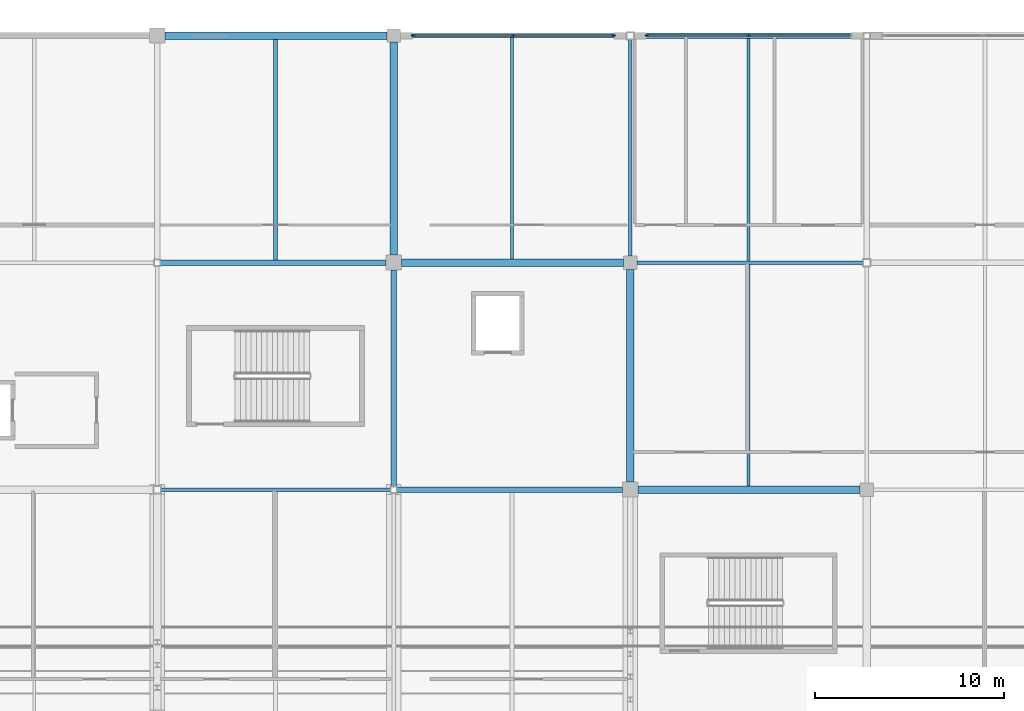
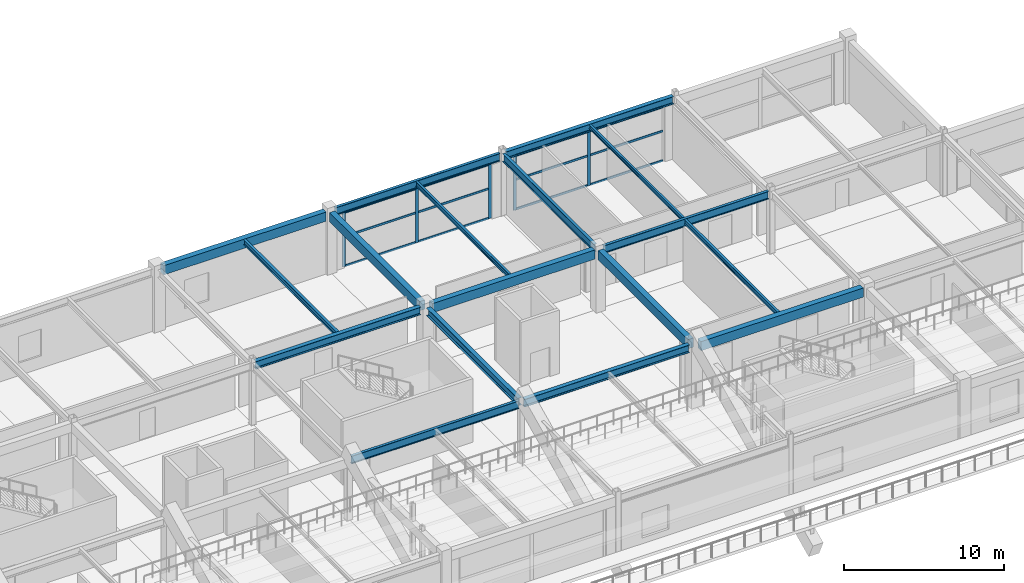
# One storey, part 66 of 128: 17 beams, 17 members, 2 elements without a shape of their own.
"""IFC4 building model written with IfcOpenShell, lengths in metres."""

from ifc_helpers import new_model, si_unit, direction, frame, origin, origin_2d, place, context, subcontext, project, spatial, rectangle, i_section, extrude, material, layer, layer_set, material_profile, profile_set, type_object, element, aggregate, save


model = new_model("IFC4")

# Units and contexts
model_context = context("Model", 3, precision=1e-05, world=origin(), true_north=direction((0.0, 1.0)))
body_context = subcontext(model_context, "Body", "Model", "MODEL_VIEW")
ifc_project = project(units=[si_unit("LENGTHUNIT", "METRE"), si_unit("AREAUNIT", "SQUARE_METRE"), si_unit("VOLUMEUNIT", "CUBIC_METRE"), si_unit("PLANEANGLEUNIT", "RADIAN"), si_unit("MASSUNIT", "GRAM", prefix="KILO")], contexts=[model_context])

# Site, building, storey
site_placement = place(None, origin())
site = spatial("IfcSite", under=ifc_project, at=site_placement, CompositionType="ELEMENT")
building_placement = place(site_placement, origin())
building = spatial("IfcBuilding", under=site, at=building_placement, Name="Kazenohara Klinker Stadium", CompositionType="ELEMENT")
storey_placement = place(building_placement, frame((0.0, 0.0, 15.300048828125)))
storey = spatial("IfcBuildingStorey", under=building, at=storey_placement, Name="L03", CompositionType="ELEMENT", Elevation=15.300048828125)

# Beams
ifc_material_1 = material(Name="Steel S355", Category="steel")
ifc_material_profile_1 = material_profile(ifc_material_1, i_section(OverallWidth=0.199951171875, OverallDepth=0.39990234375, WebThickness=0.008056640625, FlangeThickness=0.012939453125, FilletRadius=0.012939453125, at=origin_2d()), Name="H-400x200x8x13")
ifc_profile_set_1 = profile_set([ifc_material_profile_1], Name="Steel S355")
beam_type_1 = type_object("IfcBeamType", Name="BM-JST03", PredefinedType="JOIST", material=ifc_profile_set_1)
beam_1_placement = place(storey_placement, frame((131.25, 156.14990234375, 4.56005859375), z_axis=(0.0, 1.0, 0.0), x_axis=(-1.0, 0.0, 0.0)))
element("IfcBeam", 1, at=beam_1_placement, inside=storey, type_object=beam_type_1, Name="Secondary floor joist SJ03 L03 11/P", PredefinedType="JOIST", context=body_context, shape_type="SweptSolid", body=[
    extrude(i_section(OverallWidth=0.199951171875, OverallDepth=0.39990234375, WebThickness=0.008056640625, FlangeThickness=0.012939453125, FilletRadius=0.012939453125, at=origin_2d()), origin(), (0.0, 0.0, 1.0), 11.650146484375),
])
ifc_material_profile_2 = material_profile(ifc_material_1, i_section(OverallWidth=0.175048828125, OverallDepth=0.35009765625, WebThickness=0.007080078125, FlangeThickness=0.010986328125, FilletRadius=0.012939453125, at=origin_2d()), Name="H-350x175x7x11")
ifc_profile_set_2 = profile_set([ifc_material_profile_2], Name="Steel S355")
beam_type_2 = type_object("IfcBeamType", Name="BM-JST04", PredefinedType="JOIST", material=ifc_profile_set_2)
for number, where, z_axis, x_axis, name in (
    (2, (143.75, 156.199951171875, 4.5849609375), (0.0, 1.0, 0.0), (-1.0, 0.0, 0.0), "Secondary floor joist SJ04 L03 12/P"),
    (3, (156.25, 144.199951171875, 4.5849609375), (0.0, 1.0, 0.0), (-1.0, 0.0, 0.0), "Secondary floor joist SJ04 L03 13/N"),
):
    element("IfcBeam", number, at=place(storey_placement, frame(where, z_axis=z_axis, x_axis=x_axis)), inside=storey, type_object=beam_type_2, Name=name, PredefinedType="JOIST", context=body_context, shape_type="SweptSolid", body=[
        extrude(i_section(OverallWidth=0.175048828125, OverallDepth=0.35009765625, WebThickness=0.007080078125, FlangeThickness=0.010986328125, FilletRadius=0.012939453125, at=origin_2d()), origin(), (0.0, 0.0, 1.0), 11.699951171875),
    ])
ifc_material_profile_3 = material_profile(ifc_material_1, i_section(OverallWidth=0.14990234375, OverallDepth=0.300048828125, WebThickness=0.006591796875, FlangeThickness=0.009033203125, FilletRadius=0.012939453125, at=origin_2d()), Name="H-300x150x6.5x9")
ifc_profile_set_3 = profile_set([ifc_material_profile_3], Name="Steel S355")
beam_type_3 = type_object("IfcBeamType", Name="BM-JST05", PredefinedType="JOIST", material=ifc_profile_set_3)
beam_2_placement = place(storey_placement, frame((156.25, 156.10009765625, 4.60986328125), z_axis=(0.0, 1.0, 0.0), x_axis=(-1.0, 0.0, 0.0)))
element("IfcBeam", 4, at=beam_2_placement, inside=storey, type_object=beam_type_3, Name="Secondary floor joist SJ05 L03 13/P", PredefinedType="JOIST", context=body_context, shape_type="SweptSolid", body=[
    extrude(i_section(OverallWidth=0.14990234375, OverallDepth=0.300048828125, WebThickness=0.006591796875, FlangeThickness=0.009033203125, FilletRadius=0.012939453125, at=origin_2d()), origin(), (0.0, 0.0, 1.0), 11.75),
])
ifc_material_2 = material(Name="Concrete C40/50", Category="concrete")
ifc_material_profile_4 = material_profile(ifc_material_2, rectangle(XDim=0.39990234375, YDim=0.699951171875, at=origin_2d()), Name="RC-BM-400x700")
ifc_profile_set_4 = profile_set([ifc_material_profile_4], Name="Concrete C40/50")
beam_type_4 = type_object("IfcBeamType", Name="BM-RC04", PredefinedType="BEAM", material=ifc_profile_set_4)
for number, where, z_axis, x_axis, name in (
    (5, (125.39990234375, 168.0, 4.409912109375), (1.0, 0.0, 0.0), (0.0, 1.0, 0.0), "Primary girder BG04 L03 11-12/Q"),
    (6, (137.89990234375, 156.0, 4.409912109375), (1.0, 0.0, 0.0), (0.0, 1.0, 0.0), "Primary girder BG04 L03 12-13/P"),
    (7, (150.39990234375, 144.0, 4.409912109375), (1.0, 0.0, 0.0), (0.0, 1.0, 0.0), "Primary girder BG04 L03 13-14/N"),
):
    element("IfcBeam", number, at=place(storey_placement, frame(where, z_axis=z_axis, x_axis=x_axis)), inside=storey, type_object=beam_type_4, Name=name, PredefinedType="BEAM", context=body_context, shape_type="SweptSolid", body=[
        extrude(rectangle(XDim=0.39990234375, YDim=0.699951171875, at=origin_2d()), origin(), (0.0, 0.0, 1.0), 11.75),
    ])
for number, where, z_axis, x_axis, name in (
    (8, (137.5, 156.39990234375, 4.409912109375), (0.0, 1.0, 0.0), (-1.0, 0.0, 0.0), "Primary girder BG04 L03 12/P-Q"),
    (9, (150.0, 144.39990234375, 4.409912109375), (0.0, 1.0, 0.0), (-1.0, 0.0, 0.0), "Primary girder BG04 L03 13/N-P"),
):
    element("IfcBeam", number, at=place(storey_placement, frame(where, z_axis=z_axis, x_axis=x_axis)), inside=storey, type_object=beam_type_4, Name=name, PredefinedType="BEAM", context=body_context, shape_type="SweptSolid", body=[
        extrude(rectangle(XDim=0.39990234375, YDim=0.699951171875, at=origin_2d()), origin(), (0.0, 0.0, 1.0), 11.25),
    ])
ifc_material_profile_5 = material_profile(ifc_material_1, i_section(OverallWidth=0.199951171875, OverallDepth=0.60009765625, WebThickness=0.010986328125, FlangeThickness=0.01708984375, FilletRadius=0.012939453125, at=origin_2d()), Name="H-600x200x11x17")
ifc_profile_set_5 = profile_set([ifc_material_profile_5], Name="Steel S355")
beam_type_5 = type_object("IfcBeamType", Name="BM-ST04", PredefinedType="BEAM", material=ifc_profile_set_5)
beam_3_placement = place(storey_placement, frame((125.199951171875, 144.0, 4.4599609375), z_axis=(1.0, 0.0, 0.0), x_axis=(0.0, 1.0, 0.0)))
element("IfcBeam", 10, at=beam_3_placement, inside=storey, type_object=beam_type_5, Name="Primary girder SB04 L03 11-12/N", PredefinedType="BEAM", context=body_context, shape_type="SweptSolid", body=[
    extrude(i_section(OverallWidth=0.199951171875, OverallDepth=0.60009765625, WebThickness=0.010986328125, FlangeThickness=0.01708984375, FilletRadius=0.012939453125, at=origin_2d()), origin(), (0.0, 0.0, 1.0), 12.125),
])
for number, where, z_axis, x_axis, name in (
    (11, (137.85009765625, 168.0, 4.4599609375), (1.0, 0.0, 0.0), (0.0, 1.0, 0.0), "Primary girder SB04 L03 12-13/Q"),
    (12, (150.35009765625, 156.0, 4.4599609375), (1.0, 0.0, 0.0), (0.0, 1.0, 0.0), "Primary girder SB04 L03 13-14/P"),
):
    element("IfcBeam", number, at=place(storey_placement, frame(where, z_axis=z_axis, x_axis=x_axis)), inside=storey, type_object=beam_type_5, Name=name, PredefinedType="BEAM", context=body_context, shape_type="SweptSolid", body=[
        extrude(i_section(OverallWidth=0.199951171875, OverallDepth=0.60009765625, WebThickness=0.010986328125, FlangeThickness=0.01708984375, FilletRadius=0.012939453125, at=origin_2d()), origin(), (0.0, 0.0, 1.0), 11.949951171875),
    ])
beam_4_placement = place(storey_placement, frame((150.0, 156.35009765625, 4.4599609375), z_axis=(0.0, 1.0, 0.0), x_axis=(-1.0, 0.0, 0.0)))
element("IfcBeam", 13, at=beam_4_placement, inside=storey, type_object=beam_type_5, Name="Primary girder SB04 L03 13/P-Q", PredefinedType="BEAM", context=body_context, shape_type="SweptSolid", body=[
    extrude(i_section(OverallWidth=0.199951171875, OverallDepth=0.60009765625, WebThickness=0.010986328125, FlangeThickness=0.01708984375, FilletRadius=0.012939453125, at=origin_2d()), origin(), (0.0, 0.0, 1.0), 11.449951171875),
])
ifc_material_profile_6 = material_profile(ifc_material_1, i_section(OverallWidth=0.300048828125, OverallDepth=0.587890625, WebThickness=0.011962890625, FlangeThickness=0.02001953125, FilletRadius=0.02197265625, at=origin_2d()), Name="H-588x300x12x20")
ifc_profile_set_6 = profile_set([ifc_material_profile_6], Name="Steel S355")
beam_type_6 = type_object("IfcBeamType", Name="BM-ST05", PredefinedType="BEAM", material=ifc_profile_set_6)
for number, where, z_axis, x_axis, name in (
    (14, (125.175048828125, 156.0, 4.466064453125), (1.0, 0.0, 0.0), (0.0, 1.0, 0.0), "Primary girder SB05 L03 11-12/P"),
    (15, (137.675048828125, 144.0, 4.466064453125), (1.0, 0.0, 0.0), (0.0, 1.0, 0.0), "Primary girder SB05 L03 12-13/N"),
):
    element("IfcBeam", number, at=place(storey_placement, frame(where, z_axis=z_axis, x_axis=x_axis)), inside=storey, type_object=beam_type_6, Name=name, PredefinedType="BEAM", context=body_context, shape_type="SweptSolid", body=[
        extrude(i_section(OverallWidth=0.300048828125, OverallDepth=0.587890625, WebThickness=0.011962890625, FlangeThickness=0.02001953125, FilletRadius=0.02197265625, at=origin_2d()), origin(), (0.0, 0.0, 1.0), 11.925048828125),
    ])
beam_5_placement = place(storey_placement, frame((150.199951171875, 168.0, 4.466064453125), z_axis=(1.0, 0.0, 0.0), x_axis=(0.0, 1.0, 0.0)))
element("IfcBeam", 16, at=beam_5_placement, inside=storey, type_object=beam_type_6, Name="Primary girder SB05 L03 13-14/Q", PredefinedType="BEAM", context=body_context, shape_type="SweptSolid", body=[
    extrude(i_section(OverallWidth=0.300048828125, OverallDepth=0.587890625, WebThickness=0.011962890625, FlangeThickness=0.02001953125, FilletRadius=0.02197265625, at=origin_2d()), origin(), (0.0, 0.0, 1.0), 12.125),
])
beam_6_placement = place(storey_placement, frame((137.5, 144.175048828125, 4.466064453125), z_axis=(0.0, 1.0, 0.0), x_axis=(-1.0, 0.0, 0.0)))
element("IfcBeam", 17, at=beam_6_placement, inside=storey, type_object=beam_type_6, Name="Primary girder SB05 L03 12/N-P", PredefinedType="BEAM", context=body_context, shape_type="SweptSolid", body=[
    extrude(i_section(OverallWidth=0.300048828125, OverallDepth=0.587890625, WebThickness=0.011962890625, FlangeThickness=0.02001953125, FilletRadius=0.02197265625, at=origin_2d()), origin(), (0.0, 0.0, 1.0), 11.425048828125),
])

# Curtain wall, members
ifc_material_3 = material(Name="Anodised aluminium and triple glazing", Category="aluminium")
ifc_layer_1 = layer(ifc_material_3, 0.18994140625)
ifc_layer_set_1 = layer_set([ifc_layer_1], Name="Anodised aluminium and triple glazing")
curtain_wall_type_1 = type_object("IfcCurtainWallType", Name="CW-SYS-05", PredefinedType="USERDEFINED", material=ifc_layer_set_1)
curtain_wall_1_placement = place(storey_placement, origin())
curtain_wall_1 = element("IfcCurtainWall", 18, at=curtain_wall_1_placement, inside=storey, type_object=curtain_wall_type_1, Name="Unitised facade curtain wall CW05 L03 X11-14", ObjectType="UNITISED CURTAIN WALL", PredefinedType="USERDEFINED")
ifc_material_4 = material(Name="Anodised aluminium 6063-T6", Category="aluminium")
ifc_material_profile_7 = material_profile(ifc_material_4, rectangle(XDim=0.074951171875, YDim=0.219970703125, at=origin_2d()), Name="ALU-MUL-75x220")
ifc_profile_set_7 = profile_set([ifc_material_profile_7], Name="Anodised aluminium 6063-T6")
member_type_1 = type_object("IfcMemberType", Name="CW-MUL-220", PredefinedType="MULLION", material=ifc_profile_set_7)
member_1_placement = place(storey_placement, frame((138.54150390625, 168.0, 0.0), z_axis=(0.0, 0.0, 1.0), x_axis=(0.0, 1.0, 0.0)))
member_1 = element("IfcMember", 19, at=member_1_placement, type_object=member_type_1, Name="CW05 mullion 1", PredefinedType="MULLION", context=body_context, shape_type="SweptSolid", body=[
    extrude(rectangle(XDim=0.074951171875, YDim=0.219970703125, at=origin_2d()), origin(), (0.0, 0.0, 1.0), 4.159912109375),
])
member_2_placement = place(storey_placement, frame((143.824951171875, 168.0, 0.0), z_axis=(0.0, 0.0, 1.0), x_axis=(0.0, 1.0, 0.0)))
member_2 = element("IfcMember", 20, at=member_2_placement, type_object=member_type_1, Name="CW05 mullion 2", PredefinedType="MULLION", context=body_context, shape_type="SweptSolid", body=[
    extrude(rectangle(XDim=0.074951171875, YDim=0.219970703125, at=origin_2d()), origin(), (0.0, 0.0, 1.0), 4.159912109375),
])
member_3_placement = place(storey_placement, frame((149.1083984375, 168.0, 0.0), z_axis=(0.0, 0.0, 1.0), x_axis=(0.0, 1.0, 0.0)))
member_3 = element("IfcMember", 21, at=member_3_placement, type_object=member_type_1, Name="CW05 mullion 3", PredefinedType="MULLION", context=body_context, shape_type="SweptSolid", body=[
    extrude(rectangle(XDim=0.074951171875, YDim=0.219970703125, at=origin_2d()), origin(), (0.0, 0.0, 1.0), 4.159912109375),
])

ifc_layer_2 = layer(ifc_material_3, 0.179931640625)
ifc_layer_set_2 = layer_set([ifc_layer_2], Name="Anodised aluminium and triple glazing")
curtain_wall_type_2 = type_object("IfcCurtainWallType", Name="CW-SYS-02", PredefinedType="USERDEFINED", material=ifc_layer_set_2)
curtain_wall_2_placement = place(storey_placement, origin())
curtain_wall_2 = element("IfcCurtainWall", 22, at=curtain_wall_2_placement, inside=storey, type_object=curtain_wall_type_2, Name="Unitised facade curtain wall CW02 L03 X12-14", ObjectType="UNITISED CURTAIN WALL", PredefinedType="USERDEFINED")
member_4_placement = place(storey_placement, frame((150.8916015625, 168.0, 0.0), z_axis=(0.0, 0.0, 1.0), x_axis=(0.0, 1.0, 0.0)))
member_4 = element("IfcMember", 23, at=member_4_placement, type_object=member_type_1, Name="CW02 mullion 1", PredefinedType="MULLION", context=body_context, shape_type="SweptSolid", body=[
    extrude(rectangle(XDim=0.074951171875, YDim=0.219970703125, at=origin_2d()), origin(), (0.0, 0.0, 1.0), 4.171875),
])
member_5_placement = place(storey_placement, frame((156.262451171875, 168.0, 0.0), z_axis=(0.0, 0.0, 1.0), x_axis=(0.0, 1.0, 0.0)))
member_5 = element("IfcMember", 24, at=member_5_placement, type_object=member_type_1, Name="CW02 mullion 2", PredefinedType="MULLION", context=body_context, shape_type="SweptSolid", body=[
    extrude(rectangle(XDim=0.074951171875, YDim=0.219970703125, at=origin_2d()), origin(), (0.0, 0.0, 1.0), 4.171875),
])

# Member
ifc_material_profile_8 = material_profile(ifc_material_4, rectangle(XDim=0.074951171875, YDim=0.159912109375, at=origin_2d()), Name="ALU-TRN-75x160")
ifc_profile_set_8 = profile_set([ifc_material_profile_8], Name="Anodised aluminium 6063-T6")
member_type_2 = type_object("IfcMemberType", Name="CW-TRN-160", PredefinedType="USERDEFINED", material=ifc_profile_set_8)
member_6_placement = place(storey_placement, frame((138.5791015625, 168.0, 0.037353515625), z_axis=(1.0, 0.0, 0.0), x_axis=(0.0, 1.0, 0.0)))
member_6 = element("IfcMember", 25, at=member_6_placement, type_object=member_type_2, Name="CW05 transom 1.1", ObjectType="TRANSOM", PredefinedType="USERDEFINED", context=body_context, shape_type="SweptSolid", body=[
    extrude(rectangle(XDim=0.074951171875, YDim=0.159912109375, at=origin_2d()), origin(), (0.0, 0.0, 1.0), 5.20849609375),
])

member_7_placement = place(storey_placement, frame((138.5791015625, 168.0, 2.287841796875), z_axis=(1.0, 0.0, 0.0), x_axis=(0.0, 1.0, 0.0)))
member_7 = element("IfcMember", 26, at=member_7_placement, type_object=member_type_2, Name="CW05 transom 1.2", ObjectType="TRANSOM", PredefinedType="USERDEFINED", context=body_context, shape_type="SweptSolid", body=[
    extrude(rectangle(XDim=0.074951171875, YDim=0.159912109375, at=origin_2d()), origin(), (0.0, 0.0, 1.0), 5.20849609375),
])

member_8_placement = place(storey_placement, frame((138.5791015625, 168.0, 4.12255859375), z_axis=(1.0, 0.0, 0.0), x_axis=(0.0, 1.0, 0.0)))
member_8 = element("IfcMember", 27, at=member_8_placement, type_object=member_type_2, Name="CW05 transom 1.3", ObjectType="TRANSOM", PredefinedType="USERDEFINED", context=body_context, shape_type="SweptSolid", body=[
    extrude(rectangle(XDim=0.074951171875, YDim=0.159912109375, at=origin_2d()), origin(), (0.0, 0.0, 1.0), 5.20849609375),
])

member_9_placement = place(storey_placement, frame((143.862548828125, 168.0, 0.037353515625), z_axis=(1.0, 0.0, 0.0), x_axis=(0.0, 1.0, 0.0)))
member_9 = element("IfcMember", 28, at=member_9_placement, type_object=member_type_2, Name="CW05 transom 2.1", ObjectType="TRANSOM", PredefinedType="USERDEFINED", context=body_context, shape_type="SweptSolid", body=[
    extrude(rectangle(XDim=0.074951171875, YDim=0.159912109375, at=origin_2d()), origin(), (0.0, 0.0, 1.0), 5.20849609375),
])

member_10_placement = place(storey_placement, frame((143.862548828125, 168.0, 2.287841796875), z_axis=(1.0, 0.0, 0.0), x_axis=(0.0, 1.0, 0.0)))
member_10 = element("IfcMember", 29, at=member_10_placement, type_object=member_type_2, Name="CW05 transom 2.2", ObjectType="TRANSOM", PredefinedType="USERDEFINED", context=body_context, shape_type="SweptSolid", body=[
    extrude(rectangle(XDim=0.074951171875, YDim=0.159912109375, at=origin_2d()), origin(), (0.0, 0.0, 1.0), 5.20849609375),
])

member_11_placement = place(storey_placement, frame((143.862548828125, 168.0, 4.12255859375), z_axis=(1.0, 0.0, 0.0), x_axis=(0.0, 1.0, 0.0)))
member_11 = element("IfcMember", 30, at=member_11_placement, type_object=member_type_2, Name="CW05 transom 2.3", ObjectType="TRANSOM", PredefinedType="USERDEFINED", context=body_context, shape_type="SweptSolid", body=[
    extrude(rectangle(XDim=0.074951171875, YDim=0.159912109375, at=origin_2d()), origin(), (0.0, 0.0, 1.0), 5.20849609375),
])

aggregate(curtain_wall_1, [member_1, member_2, member_3, member_6, member_7, member_8, member_9, member_10, member_11])

member_12_placement = place(storey_placement, frame((150.928955078125, 168.0, 0.037353515625), z_axis=(1.0, 0.0, 0.0), x_axis=(0.0, 1.0, 0.0)))
member_12 = element("IfcMember", 31, at=member_12_placement, type_object=member_type_2, Name="CW02 transom 1.1", ObjectType="TRANSOM", PredefinedType="USERDEFINED", context=body_context, shape_type="SweptSolid", body=[
    extrude(rectangle(XDim=0.074951171875, YDim=0.159912109375, at=origin_2d()), origin(), (0.0, 0.0, 1.0), 5.296142578125),
])

member_13_placement = place(storey_placement, frame((150.928955078125, 168.0, 2.29443359375), z_axis=(1.0, 0.0, 0.0), x_axis=(0.0, 1.0, 0.0)))
member_13 = element("IfcMember", 32, at=member_13_placement, type_object=member_type_2, Name="CW02 transom 1.2", ObjectType="TRANSOM", PredefinedType="USERDEFINED", context=body_context, shape_type="SweptSolid", body=[
    extrude(rectangle(XDim=0.074951171875, YDim=0.159912109375, at=origin_2d()), origin(), (0.0, 0.0, 1.0), 5.296142578125),
])

member_14_placement = place(storey_placement, frame((150.928955078125, 168.0, 4.134521484375), z_axis=(1.0, 0.0, 0.0), x_axis=(0.0, 1.0, 0.0)))
member_14 = element("IfcMember", 33, at=member_14_placement, type_object=member_type_2, Name="CW02 transom 1.3", ObjectType="TRANSOM", PredefinedType="USERDEFINED", context=body_context, shape_type="SweptSolid", body=[
    extrude(rectangle(XDim=0.074951171875, YDim=0.159912109375, at=origin_2d()), origin(), (0.0, 0.0, 1.0), 5.296142578125),
])

member_15_placement = place(storey_placement, frame((156.300048828125, 168.0, 0.037353515625), z_axis=(1.0, 0.0, 0.0), x_axis=(0.0, 1.0, 0.0)))
member_15 = element("IfcMember", 34, at=member_15_placement, type_object=member_type_2, Name="CW02 transom 2.1", ObjectType="TRANSOM", PredefinedType="USERDEFINED", context=body_context, shape_type="SweptSolid", body=[
    extrude(rectangle(XDim=0.074951171875, YDim=0.159912109375, at=origin_2d()), origin(), (0.0, 0.0, 1.0), 5.2958984375),
])

member_16_placement = place(storey_placement, frame((156.300048828125, 168.0, 2.29443359375), z_axis=(1.0, 0.0, 0.0), x_axis=(0.0, 1.0, 0.0)))
member_16 = element("IfcMember", 35, at=member_16_placement, type_object=member_type_2, Name="CW02 transom 2.2", ObjectType="TRANSOM", PredefinedType="USERDEFINED", context=body_context, shape_type="SweptSolid", body=[
    extrude(rectangle(XDim=0.074951171875, YDim=0.159912109375, at=origin_2d()), origin(), (0.0, 0.0, 1.0), 5.2958984375),
])

member_17_placement = place(storey_placement, frame((156.300048828125, 168.0, 4.134521484375), z_axis=(1.0, 0.0, 0.0), x_axis=(0.0, 1.0, 0.0)))
member_17 = element("IfcMember", 36, at=member_17_placement, type_object=member_type_2, Name="CW02 transom 2.3", ObjectType="TRANSOM", PredefinedType="USERDEFINED", context=body_context, shape_type="SweptSolid", body=[
    extrude(rectangle(XDim=0.074951171875, YDim=0.159912109375, at=origin_2d()), origin(), (0.0, 0.0, 1.0), 5.2958984375),
])

aggregate(curtain_wall_2, [member_4, member_5, member_12, member_13, member_14, member_15, member_16, member_17])

save(model, "model.ifc")
